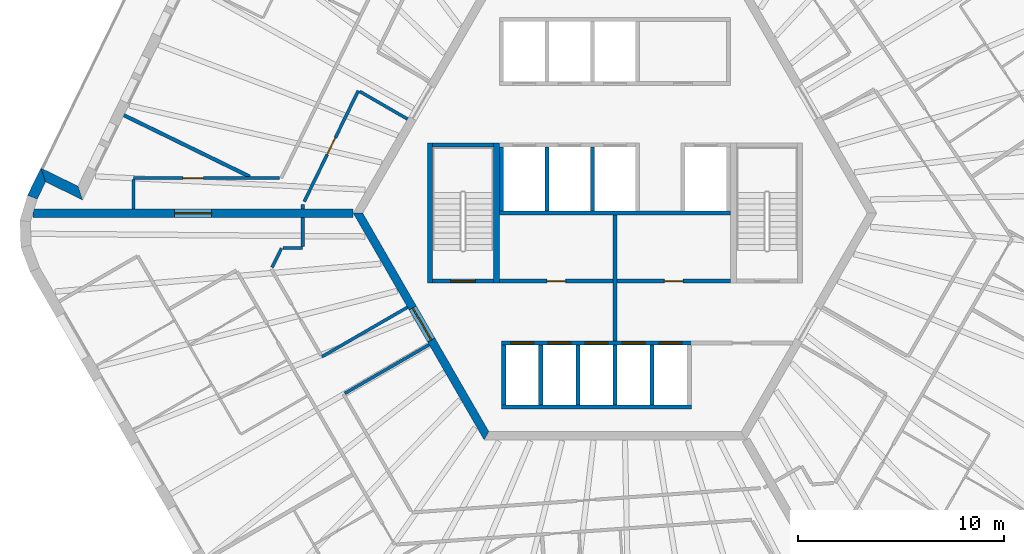
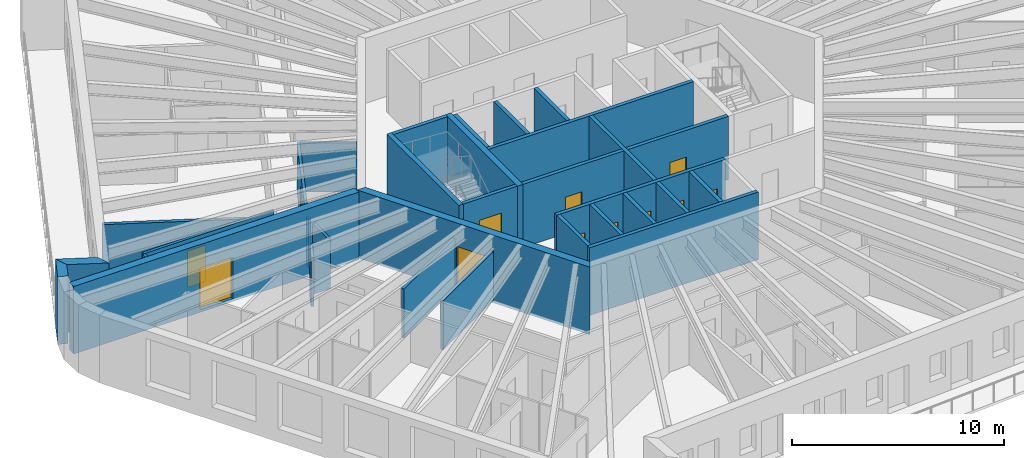
# One storey, part 5 of 12: 33 walls, 12 doors, 12 openings.
"""IFC4 building model written with IfcOpenShell, lengths in metres."""

from ifc_helpers import new_model, si_unit, direction, frame, frame_2d, origin, place, context, subcontext, project, spatial, polyline, rectangle, outline, extrude, material, layer, layer_set, type_object, element, fill, save


model = new_model("IFC4")

# Units and contexts
model_context = context("Model", 3, precision=1e-05, world=origin(), true_north=direction((0.0, 1.0)))
body_context = subcontext(model_context, "Body", "Model", "MODEL_VIEW")
ifc_project = project(units=[si_unit("LENGTHUNIT", "METRE"), si_unit("AREAUNIT", "SQUARE_METRE"), si_unit("VOLUMEUNIT", "CUBIC_METRE"), si_unit("PLANEANGLEUNIT", "RADIAN"), si_unit("MASSUNIT", "GRAM", prefix="KILO")], contexts=[model_context])

# Site, building, storey
site_placement = place(None, origin())
site = spatial("IfcSite", under=ifc_project, at=site_placement, CompositionType="ELEMENT")
building_placement = place(site_placement, origin())
building = spatial("IfcBuilding", under=site, at=building_placement, Name="Tarnside Tower", CompositionType="ELEMENT")
storey_placement = place(building_placement, frame((0.0, 0.0, 260.10009765625)))
storey = spatial("IfcBuildingStorey", under=building, at=storey_placement, Name="L62", CompositionType="ELEMENT", Elevation=260.10009765625)

# Wall, opening, door
ifc_material_1 = material(Name="Concrete C40/50", Category="concrete")
ifc_layer_1 = layer(ifc_material_1, 0.199951171875)
ifc_layer_set_1 = layer_set([ifc_layer_1], Name="Core room partition 200 C40/50")
wall_type_1 = type_object("IfcWallType", Name="Core room partition 200 C40/50", PredefinedType="PARTITIONING", material=ifc_layer_set_1)
wall_1_placement = place(storey_placement, frame((-5.60009765625, -3.300048828125, 0.0), z_axis=(0.0, 0.0, 1.0), x_axis=(1.0, 0.0, 0.0)))
wall_1 = element("IfcWall", 1, at=wall_1_placement, inside=storey, type_object=wall_type_1, Name="L62 core partition W3", PredefinedType="PARTITIONING", context=body_context, shape_type="SweptSolid", body=[
    extrude(rectangle(XDim=5.5, YDim=0.199951171875, at=frame_2d((2.75, 0.0))), origin(), (0.0, 0.0, 1.0), 3.64990234375),
])
opening_1_placement = place(wall_1_placement, frame((2.300048828125, 0.0, 0.0)))
opening_1 = element("IfcOpeningElement", 2, at=opening_1_placement, cuts=wall_1, Name="Opening CD-room", PredefinedType="OPENING", context=body_context, shape_type="SweptSolid", body=[
    extrude(rectangle(XDim=0.89990234375, YDim=2.10009765625, at=frame_2d((0.449951171875, 1.050048828125))), frame((0.0, 0.10986328125, 0.0), z_axis=(0.0, -1.0, 0.0), x_axis=(1.0, 0.0, 0.0)), (0.0, 0.0, 1.0), 0.219970703125),
])
ifc_material_2 = material(Name="Steel fire door", Category="steel")
door_type_1 = type_object("IfcDoorType", Name="Room door FD60 900x2100", OperationType="NOTDEFINED", PredefinedType="DOOR", material=ifc_material_2)
door_1_placement = place(opening_1_placement, origin())
door_1 = element("IfcDoor", 3, at=door_1_placement, inside=storey, type_object=door_type_1, Name="L62 core room door W3D", OperationType="SINGLE_SWING_LEFT", OverallHeight=2.10009765625, OverallWidth=0.89990234375, PredefinedType="DOOR", context=body_context, shape_type="SweptSolid", body=[
    extrude(rectangle(XDim=0.89990234375, YDim=2.10009765625, at=frame_2d((0.449951171875, 1.050048828125))), frame((0.0, 0.02490234375, 0.0), z_axis=(0.0, -1.0, 0.0), x_axis=(1.0, 0.0, 0.0)), (0.0, 0.0, 1.0), 0.050048828125),
])
fill(opening_1, door_1)

wall_2_placement = place(storey_placement, frame((0.10009765625, -3.300048828125, 0.0), z_axis=(0.0, 0.0, 1.0), x_axis=(1.0, 0.0, 0.0)))
wall_2 = element("IfcWall", 4, at=wall_2_placement, inside=storey, type_object=wall_type_1, Name="L62 core partition R3S1", PredefinedType="PARTITIONING", context=body_context, shape_type="SweptSolid", body=[
    extrude(rectangle(XDim=5.5, YDim=0.199951171875, at=frame_2d((2.75, 0.0))), origin(), (0.0, 0.0, 1.0), 3.64990234375),
])
opening_2_placement = place(wall_2_placement, frame((2.300048828125, 0.0, 0.0)))
opening_2 = element("IfcOpeningElement", 5, at=opening_2_placement, cuts=wall_2, Name="Opening CD-room", PredefinedType="OPENING", context=body_context, shape_type="SweptSolid", body=[
    extrude(rectangle(XDim=0.89990234375, YDim=2.10009765625, at=frame_2d((0.449951171875, 1.050048828125))), frame((0.0, 0.10986328125, 0.0), z_axis=(0.0, -1.0, 0.0), x_axis=(1.0, 0.0, 0.0)), (0.0, 0.0, 1.0), 0.219970703125),
])
door_2_placement = place(opening_2_placement, origin())
door_2 = element("IfcDoor", 6, at=door_2_placement, inside=storey, type_object=door_type_1, Name="L62 core room door SR1", OperationType="SINGLE_SWING_LEFT", OverallHeight=2.10009765625, OverallWidth=0.89990234375, PredefinedType="DOOR", context=body_context, shape_type="SweptSolid", body=[
    extrude(rectangle(XDim=0.89990234375, YDim=2.10009765625, at=frame_2d((0.449951171875, 1.050048828125))), frame((0.0, 0.02490234375, 0.0), z_axis=(0.0, -1.0, 0.0), x_axis=(1.0, 0.0, 0.0)), (0.0, 0.0, 1.0), 0.050048828125),
])
fill(opening_2, door_2)

# Wall
wall_3_placement = place(storey_placement, frame((0.0, -6.199951171875, 0.0), z_axis=(0.0, 0.0, 1.0), x_axis=(0.0, 1.0, 0.0)))
element("IfcWall", 7, at=wall_3_placement, inside=storey, type_object=wall_type_1, Name="L62 core partition X0", PredefinedType="PARTITIONING", context=body_context, shape_type="SweptSolid", body=[
    extrude(rectangle(XDim=6.099853515625, YDim=0.199951171875, at=frame_2d((3.0498046875, 0.0))), origin(), (0.0, 0.0, 1.0), 3.64990234375),
])

# Wall, opening, door
ifc_material_3 = material(Name="Concrete C60/75", Category="concrete")
ifc_layer_2 = layer(ifc_material_3, 0.39990234375)
ifc_layer_set_2 = layer_set([ifc_layer_2], Name="Core wall Z3 400 C60/75")
wall_type_2 = type_object("IfcWallType", Name="Core wall Z3 400 C60/75", PredefinedType="SHEAR", material=ifc_layer_set_2)
wall_4_placement = place(storey_placement, frame((-12.470703125, 0.0, -0.150146484375), z_axis=(0.0, 0.0, 1.0), x_axis=(0.499996419489, -0.866027470984, 0.0)))
wall_4 = element("IfcWall", 8, at=wall_4_placement, inside=storey, type_object=wall_type_2, Name="L62 core wall face 3", PredefinedType="SHEAR", context=body_context, shape_type="SweptSolid", body=[
    extrude(outline(polyline([(-0.115478515625, -0.199951171875), (12.586181640625, -0.199951171875), (12.355224609375, 0.199951171875), (0.115478515625, 0.199951171875), (-0.115478515625, -0.199951171875)])), origin(), (0.0, 0.0, 1.0), 3.900146484375),
])
opening_3_placement = place(wall_4_placement, frame((5.306396484375, 0.0, 0.14990234375)))
opening_3 = element("IfcOpeningElement", 9, at=opening_3_placement, cuts=wall_4, Name="Opening CD-FFL", PredefinedType="OPENING", context=body_context, shape_type="SweptSolid", body=[
    extrude(rectangle(XDim=1.800048828125, YDim=2.39990234375, at=frame_2d((0.89990234375, 1.199951171875))), frame((0.0, 0.2099609375, 0.0), z_axis=(0.0, -1.0, 0.0), x_axis=(1.0, 0.0, 0.0)), (0.0, 0.0, 1.0), 0.419921875),
])
door_type_2 = type_object("IfcDoorType", Name="Firefighting lobby double door FD60S 1800x2400", OperationType="NOTDEFINED", PredefinedType="DOOR", material=ifc_material_2)
door_3_placement = place(opening_3_placement, origin())
door_3 = element("IfcDoor", 10, at=door_3_placement, inside=storey, type_object=door_type_2, Name="L62 core door P3", OperationType="DOUBLE_DOOR_SINGLE_SWING", OverallHeight=2.39990234375, OverallWidth=1.800048828125, PredefinedType="DOOR", context=body_context, shape_type="SweptSolid", body=[
    extrude(rectangle(XDim=1.800048828125, YDim=2.39990234375, at=frame_2d((0.89990234375, 1.199951171875))), frame((0.0, 0.02490234375, 0.0), z_axis=(0.0, -1.0, 0.0), x_axis=(1.0, 0.0, 0.0)), (0.0, 0.0, 1.0), 0.050048828125),
])
fill(opening_3, door_3)

wall_5_placement = place(storey_placement, frame((-12.70166015625, 0.0, -0.150146484375), z_axis=(0.0, 0.0, 1.0), x_axis=(-1.0, 0.0, 0.0)))
wall_5 = element("IfcWall", 11, at=wall_5_placement, inside=storey, type_object=wall_type_2, Name="L62 spine wall 2", PredefinedType="SHEAR", context=body_context, shape_type="SweptSolid", body=[
    extrude(rectangle(XDim=15.54443359375, YDim=0.39990234375, at=frame_2d((7.772216796875, 0.0))), origin(), (0.0, 0.0, 1.0), 3.900146484375),
])
opening_4_placement = place(wall_5_placement, frame((6.872314453125, 0.0, 0.14990234375)))
opening_4 = element("IfcOpeningElement", 12, at=opening_4_placement, cuts=wall_5, Name="Opening CD-SPN", PredefinedType="OPENING", context=body_context, shape_type="SweptSolid", body=[
    extrude(rectangle(XDim=1.800048828125, YDim=2.39990234375, at=frame_2d((0.89990234375, 1.199951171875))), frame((0.0, 0.2099609375, 0.0), z_axis=(0.0, -1.0, 0.0), x_axis=(1.0, 0.0, 0.0)), (0.0, 0.0, 1.0), 0.419921875),
])
door_type_3 = type_object("IfcDoorType", Name="Spine passage double door FD60 1800x2400", OperationType="NOTDEFINED", PredefinedType="DOOR", material=ifc_material_2)
door_4_placement = place(opening_4_placement, origin())
door_4 = element("IfcDoor", 13, at=door_4_placement, inside=storey, type_object=door_type_3, Name="L62 spine passage door 2", OperationType="DOUBLE_DOOR_SINGLE_SWING", OverallHeight=2.39990234375, OverallWidth=1.800048828125, PredefinedType="DOOR", context=body_context, shape_type="SweptSolid", body=[
    extrude(rectangle(XDim=1.800048828125, YDim=2.39990234375, at=frame_2d((0.89990234375, 1.199951171875))), frame((0.0, 0.02490234375, 0.0), z_axis=(0.0, -1.0, 0.0), x_axis=(1.0, 0.0, 0.0)), (0.0, 0.0, 1.0), 0.050048828125),
])
fill(opening_4, door_4)

ifc_material_4 = material(Name="Gypsum board partition on steel studs", Category="steel")
ifc_layer_3 = layer(ifc_material_4, 0.14990234375)
ifc_layer_set_3 = layer_set([ifc_layer_3], Name="Corridor wall 150 EI 60")
wall_type_3 = type_object("IfcWallType", Name="Corridor wall 150 EI 60", PredefinedType="PARTITIONING", material=ifc_layer_set_3)
wall_6_placement = place(storey_placement, frame((-16.277099609375, 1.699951171875, 0.0), z_axis=(0.0, 0.0, 1.0), x_axis=(-1.0, 0.0, 0.0)))
wall_6 = element("IfcWall", 14, at=wall_6_placement, inside=storey, type_object=wall_type_3, Name="Corridor wall 20012", PredefinedType="PARTITIONING", context=body_context, shape_type="SweptSolid", body=[
    extrude(rectangle(XDim=7.096923828125, YDim=0.14990234375, at=frame_2d((3.54833984375, 0.0))), origin(), (0.0, 0.0, 1.0), 2.8232421875),
])
opening_5_placement = place(wall_6_placement, frame((3.696044921875, 0.0, 0.0)))
opening_5 = element("IfcOpeningElement", 15, at=opening_5_placement, cuts=wall_6, Name="Opening D-E1", PredefinedType="OPENING", context=body_context, shape_type="SweptSolid", body=[
    extrude(rectangle(XDim=1.0, YDim=2.10009765625, at=frame_2d((0.5, 1.050048828125))), frame((0.0, 0.0849609375, 0.0), z_axis=(0.0, -1.0, 0.0), x_axis=(1.0, 0.0, 0.0)), (0.0, 0.0, 1.0), 0.169921875),
])
ifc_material_5 = material(Name="Timber door leaf", Category="wood")
door_type_4 = type_object("IfcDoorType", Name="Unit entrance door 1000 FD30S", OperationType="NOTDEFINED", PredefinedType="DOOR", material=ifc_material_5)
door_5_placement = place(opening_5_placement, origin())
door_5 = element("IfcDoor", 16, at=door_5_placement, inside=storey, type_object=door_type_4, Name="Unit door 20020", OperationType="SINGLE_SWING_LEFT", OverallHeight=2.10009765625, OverallWidth=1.0, PredefinedType="DOOR", context=body_context, shape_type="SweptSolid", body=[
    extrude(rectangle(XDim=1.0, YDim=2.10009765625, at=frame_2d((0.5, 1.050048828125))), frame((0.0, 0.02490234375, 0.0), z_axis=(0.0, -1.0, 0.0), x_axis=(1.0, 0.0, 0.0)), (0.0, 0.0, 1.0), 0.050048828125),
])
fill(opening_5, door_5)

# Walls
wall_7_placement = place(storey_placement, frame((-23.3740234375, 1.625, 0.0), z_axis=(0.0, 0.0, 1.0), x_axis=(0.0, -1.0, 0.0)))
element("IfcWall", 17, at=wall_7_placement, inside=storey, type_object=wall_type_3, Name="Corridor wall 20016", PredefinedType="PARTITIONING", context=body_context, shape_type="SweptSolid", body=[
    extrude(rectangle(XDim=1.425048828125, YDim=0.14990234375, at=frame_2d((0.71240234375, 0.0))), origin(), (0.0, 0.0, 1.0), 2.8232421875),
])
wall_8_placement = place(storey_placement, frame((-15.15380859375, 0.199951171875, 0.0), z_axis=(0.0, 0.0, 1.0), x_axis=(0.0, 1.0, 0.0)))
element("IfcWall", 18, at=wall_8_placement, inside=storey, type_object=wall_type_3, Name="Corridor wall 20023", PredefinedType="PARTITIONING", context=body_context, shape_type="SweptSolid", body=[
    extrude(rectangle(XDim=0.210205078125, YDim=0.14990234375, at=frame_2d((0.10498046875, 0.0))), origin(), (0.0, 0.0, 1.0), 2.8232421875),
])

# Wall, opening, door
wall_9_placement = place(storey_placement, frame((-15.078857421875, 0.563720703125, 0.0), z_axis=(0.0, 0.0, 1.0), x_axis=(0.438367391904, 0.898795877669, 0.0)))
wall_9 = element("IfcWall", 19, at=wall_9_placement, inside=storey, type_object=wall_type_3, Name="Corridor wall 20024", PredefinedType="PARTITIONING", context=body_context, shape_type="SweptSolid", body=[
    extrude(rectangle(XDim=5.987060546875, YDim=0.14990234375, at=frame_2d((2.99365234375, 0.0))), origin(), (0.0, 0.0, 1.0), 2.8232421875),
])
opening_6_placement = place(wall_9_placement, frame((2.54345703125, 0.0, 0.0)))
opening_6 = element("IfcOpeningElement", 20, at=opening_6_placement, cuts=wall_9, Name="Opening D-S1", PredefinedType="OPENING", context=body_context, shape_type="SweptSolid", body=[
    extrude(rectangle(XDim=0.89990234375, YDim=2.10009765625, at=frame_2d((0.449951171875, 1.050048828125))), frame((0.0, 0.0849609375, 0.0), z_axis=(0.0, -1.0, 0.0), x_axis=(1.0, 0.0, 0.0)), (0.0, 0.0, 1.0), 0.169921875),
])
door_type_5 = type_object("IfcDoorType", Name="Service room door 900 FD30S", OperationType="NOTDEFINED", PredefinedType="DOOR", material=ifc_material_5)
door_6_placement = place(opening_6_placement, origin())
door_6 = element("IfcDoor", 21, at=door_6_placement, inside=storey, type_object=door_type_5, Name="Service door 20072", OperationType="SINGLE_SWING_LEFT", OverallHeight=2.10009765625, OverallWidth=0.89990234375, PredefinedType="DOOR", context=body_context, shape_type="SweptSolid", body=[
    extrude(rectangle(XDim=0.89990234375, YDim=2.10009765625, at=frame_2d((0.449951171875, 1.050048828125))), frame((0.0, 0.02490234375, 0.0), z_axis=(0.0, -1.0, 0.0), x_axis=(1.0, 0.0, 0.0)), (0.0, 0.0, 1.0), 0.050048828125),
])
fill(opening_6, door_6)

# Walls
wall_10_placement = place(storey_placement, frame((-12.389404296875, 5.9072265625, 0.0), z_axis=(0.0, 0.0, 1.0), x_axis=(0.866034066097, -0.499984996134, 0.0)))
element("IfcWall", 22, at=wall_10_placement, inside=storey, type_object=wall_type_3, Name="Corridor wall 20025", PredefinedType="PARTITIONING", context=body_context, shape_type="SweptSolid", body=[
    extrude(rectangle(XDim=2.68310546875, YDim=0.14990234375, at=frame_2d((1.341552734375, 0.0))), origin(), (0.0, 0.0, 1.0), 2.8232421875),
])
wall_11_placement = place(storey_placement, frame((-10.065673828125, -4.565673828125, 0.0), z_axis=(0.0, 0.0, 1.0), x_axis=(-0.866037363387, -0.499979284789, 0.0)))
element("IfcWall", 23, at=wall_11_placement, inside=storey, type_object=wall_type_3, Name="Corridor wall 20043", PredefinedType="PARTITIONING", context=body_context, shape_type="SweptSolid", body=[
    extrude(rectangle(XDim=4.800048828125, YDim=0.14990234375, at=frame_2d((2.39990234375, 0.0))), origin(), (0.0, 0.0, 1.0), 2.8232421875),
])
wall_12_placement = place(storey_placement, frame((-16.637939453125, -2.63232421875, 0.0), z_axis=(0.0, 0.0, 1.0), x_axis=(0.438437541994, 0.898761660158, 0.0)))
element("IfcWall", 24, at=wall_12_placement, inside=storey, type_object=wall_type_3, Name="Corridor wall 20045", PredefinedType="PARTITIONING", context=body_context, shape_type="SweptSolid", body=[
    extrude(rectangle(XDim=1.037353515625, YDim=0.14990234375, at=frame_2d((0.5185546875, 0.0))), origin(), (0.0, 0.0, 1.0), 2.8232421875),
])
wall_13_placement = place(storey_placement, frame((-16.099609375, -1.699951171875, 0.0), z_axis=(0.0, 0.0, 1.0), x_axis=(1.0, 0.0, 0.0)))
element("IfcWall", 25, at=wall_13_placement, inside=storey, type_object=wall_type_3, Name="Corridor wall 20046", PredefinedType="PARTITIONING", context=body_context, shape_type="SweptSolid", body=[
    extrude(rectangle(XDim=0.94580078125, YDim=0.14990234375, at=frame_2d((0.472900390625, 0.0))), origin(), (0.0, 0.0, 1.0), 2.8232421875),
])
wall_14_placement = place(storey_placement, frame((-15.15380859375, -1.625, 0.0), z_axis=(0.0, 0.0, 1.0), x_axis=(0.0, 1.0, 0.0)))
element("IfcWall", 26, at=wall_14_placement, inside=storey, type_object=wall_type_3, Name="Corridor wall 20047", PredefinedType="PARTITIONING", context=body_context, shape_type="SweptSolid", body=[
    extrude(rectangle(XDim=1.425048828125, YDim=0.14990234375, at=frame_2d((0.71240234375, 0.0))), origin(), (0.0, 0.0, 1.0), 2.8232421875),
])
wall_15_placement = place(storey_placement, frame((-13.107666015625, -8.746826171875, 0.0), z_axis=(0.0, 0.0, 1.0), x_axis=(0.866024684746, 0.500001245408, 0.0)))
element("IfcWall", 27, at=wall_15_placement, inside=storey, type_object=wall_type_3, Name="Corridor wall 20051", PredefinedType="PARTITIONING", context=body_context, shape_type="SweptSolid", body=[
    extrude(rectangle(XDim=4.72509765625, YDim=0.14990234375, at=frame_2d((2.362548828125, 0.0))), origin(), (0.0, 0.0, 1.0), 2.8232421875),
])
ifc_layer_4 = layer(ifc_material_4, 0.179931640625)
ifc_layer_set_4 = layer_set([ifc_layer_4], Name="Demising wall 180 EI 60")
wall_type_4 = type_object("IfcWallType", Name="Demising wall 180 EI 60", PredefinedType="PARTITIONING", material=ifc_layer_set_4)
wall_16_placement = place(storey_placement, frame((-23.82861328125, 4.75146484375, 0.0), z_axis=(0.0, 0.0, 1.0), x_axis=(0.898785032636, -0.438389627056, 0.0)))
element("IfcWall", 28, at=wall_16_placement, inside=storey, type_object=wall_type_4, Name="Demising wall 20101", PredefinedType="PARTITIONING", context=body_context, shape_type="SweptSolid", body=[
    extrude(rectangle(XDim=6.789794921875, YDim=0.179931640625, at=frame_2d((3.39501953125, 0.0))), origin(), (0.0, 0.0, 1.0), 2.8232421875),
])
ifc_layer_5 = layer(ifc_material_1, 0.199951171875)
ifc_layer_set_5 = layer_set([ifc_layer_5], Name="Lift shaft wall 200 C40/50")
wall_type_5 = type_object("IfcWallType", Name="Lift shaft wall 200 C40/50", PredefinedType="SHEAR", material=ifc_layer_set_5)
wall_17_placement = place(storey_placement, frame((-5.60009765625, 0.0, -0.25), z_axis=(0.0, 0.0, 1.0), x_axis=(1.0, 0.0, 0.0)))
element("IfcWall", 29, at=wall_17_placement, inside=storey, type_object=wall_type_5, Name="L62 lift shaft back wall R2", PredefinedType="SHEAR", context=body_context, shape_type="SweptSolid", body=[
    extrude(rectangle(XDim=11.2001953125, YDim=0.199951171875, at=frame_2d((5.60009765625, 0.0))), origin(), (0.0, 0.0, 1.0), 3.89990234375),
])
for number, where, z_axis, x_axis, name in (
    (30, (-5.5, 0.10009765625, -0.25), (0.0, 0.0, 1.0), (0.0, 1.0, 0.0), "L62 lift shaft partition R21"),
    (31, (-3.300048828125, 0.10009765625, -0.25), (0.0, 0.0, 1.0), (0.0, 1.0, 0.0), "L62 lift shaft partition R22"),
    (32, (-1.10009765625, 0.10009765625, -0.25), (0.0, 0.0, 1.0), (0.0, 1.0, 0.0), "L62 lift shaft partition R23"),
):
    element("IfcWall", number, at=place(storey_placement, frame(where, z_axis=z_axis, x_axis=x_axis)), inside=storey, type_object=wall_type_5, Name=name, PredefinedType="SHEAR", context=body_context, shape_type="SweptSolid", body=[
        extrude(rectangle(XDim=3.099853515625, YDim=0.199951171875, at=frame_2d((1.5498046875, 0.0))), origin(), (0.0, 0.0, 1.0), 3.89990234375),
    ])

# Wall, openings, doors
wall_18_placement = place(storey_placement, frame((-5.5, -6.300048828125, -0.25), z_axis=(0.0, 0.0, 1.0), x_axis=(1.0, 0.0, 0.0)))
wall_18 = element("IfcWall", 33, at=wall_18_placement, inside=storey, type_object=wall_type_5, Name="L62 lift shaft front wall R4", PredefinedType="SHEAR", context=body_context, shape_type="SweptSolid", body=[
    extrude(rectangle(XDim=9.199951171875, YDim=0.199951171875, at=frame_2d((4.60009765625, 0.0))), origin(), (0.0, 0.0, 1.0), 3.89990234375),
])
opening_7_placement = place(wall_18_placement, frame((0.449951171875, 0.0, 0.25)))
opening_7 = element("IfcOpeningElement", 34, at=opening_7_placement, cuts=wall_18, Name="Opening LDF", PredefinedType="OPENING", context=body_context, shape_type="SweptSolid", body=[
    extrude(rectangle(XDim=1.10009765625, YDim=2.10009765625, at=frame_2d((0.550048828125, 1.050048828125))), frame((0.0, 0.10986328125, 0.0), z_axis=(0.0, -1.0, 0.0), x_axis=(1.0, 0.0, 0.0)), (0.0, 0.0, 1.0), 0.219970703125),
])
opening_8_placement = place(wall_18_placement, frame((2.25, 0.0, 0.25)))
opening_8 = element("IfcOpeningElement", 35, at=opening_8_placement, cuts=wall_18, Name="Opening LDF", PredefinedType="OPENING", context=body_context, shape_type="SweptSolid", body=[
    extrude(rectangle(XDim=1.10009765625, YDim=2.10009765625, at=frame_2d((0.550048828125, 1.050048828125))), frame((0.0, 0.10986328125, 0.0), z_axis=(0.0, -1.0, 0.0), x_axis=(1.0, 0.0, 0.0)), (0.0, 0.0, 1.0), 0.219970703125),
])
opening_9_placement = place(wall_18_placement, frame((4.050048828125, 0.0, 0.25)))
opening_9 = element("IfcOpeningElement", 36, at=opening_9_placement, cuts=wall_18, Name="Opening LDF", PredefinedType="OPENING", context=body_context, shape_type="SweptSolid", body=[
    extrude(rectangle(XDim=1.10009765625, YDim=2.10009765625, at=frame_2d((0.550048828125, 1.050048828125))), frame((0.0, 0.10986328125, 0.0), z_axis=(0.0, -1.0, 0.0), x_axis=(1.0, 0.0, 0.0)), (0.0, 0.0, 1.0), 0.219970703125),
])
opening_10_placement = place(wall_18_placement, frame((5.85009765625, 0.0, 0.25)))
opening_10 = element("IfcOpeningElement", 37, at=opening_10_placement, cuts=wall_18, Name="Opening LDF", PredefinedType="OPENING", context=body_context, shape_type="SweptSolid", body=[
    extrude(rectangle(XDim=1.10009765625, YDim=2.10009765625, at=frame_2d((0.550048828125, 1.050048828125))), frame((0.0, 0.10986328125, 0.0), z_axis=(0.0, -1.0, 0.0), x_axis=(1.0, 0.0, 0.0)), (0.0, 0.0, 1.0), 0.219970703125),
])
opening_11_placement = place(wall_18_placement, frame((7.64990234375, 0.0, 0.25)))
opening_11 = element("IfcOpeningElement", 38, at=opening_11_placement, cuts=wall_18, Name="Opening LDF", PredefinedType="OPENING", context=body_context, shape_type="SweptSolid", body=[
    extrude(rectangle(XDim=1.10009765625, YDim=2.10009765625, at=frame_2d((0.550048828125, 1.050048828125))), frame((0.0, 0.10986328125, 0.0), z_axis=(0.0, -1.0, 0.0), x_axis=(1.0, 0.0, 0.0)), (0.0, 0.0, 1.0), 0.219970703125),
])
ifc_material_6 = material(Name="Stainless steel", Category="steel")
door_type_6 = type_object("IfcDoorType", Name="Lift landing door 1100x2100 EI 120", OperationType="NOTDEFINED", PredefinedType="DOOR", material=ifc_material_6)
door_7_placement = place(opening_7_placement, origin())
door_7 = element("IfcDoor", 39, at=door_7_placement, inside=storey, type_object=door_type_6, Name="Firefighting lift 1 landing door L62", OperationType="SLIDING_TO_LEFT", OverallHeight=2.10009765625, OverallWidth=1.10009765625, PredefinedType="DOOR", context=body_context, shape_type="SweptSolid", body=[
    extrude(rectangle(XDim=1.10009765625, YDim=2.10009765625, at=frame_2d((0.550048828125, 1.050048828125))), frame((0.0, 0.02490234375, 0.0), z_axis=(0.0, -1.0, 0.0), x_axis=(1.0, 0.0, 0.0)), (0.0, 0.0, 1.0), 0.050048828125),
])
fill(opening_7, door_7)
door_8_placement = place(opening_8_placement, origin())
door_8 = element("IfcDoor", 40, at=door_8_placement, inside=storey, type_object=door_type_6, Name="Firefighting lift 2 landing door L62", OperationType="SLIDING_TO_LEFT", OverallHeight=2.10009765625, OverallWidth=1.10009765625, PredefinedType="DOOR", context=body_context, shape_type="SweptSolid", body=[
    extrude(rectangle(XDim=1.10009765625, YDim=2.10009765625, at=frame_2d((0.550048828125, 1.050048828125))), frame((0.0, 0.02490234375, 0.0), z_axis=(0.0, -1.0, 0.0), x_axis=(1.0, 0.0, 0.0)), (0.0, 0.0, 1.0), 0.050048828125),
])
fill(opening_8, door_8)
door_9_placement = place(opening_9_placement, origin())
door_9 = element("IfcDoor", 41, at=door_9_placement, inside=storey, type_object=door_type_6, Name="Firefighting lift 3 landing door L62", OperationType="SLIDING_TO_LEFT", OverallHeight=2.10009765625, OverallWidth=1.10009765625, PredefinedType="DOOR", context=body_context, shape_type="SweptSolid", body=[
    extrude(rectangle(XDim=1.10009765625, YDim=2.10009765625, at=frame_2d((0.550048828125, 1.050048828125))), frame((0.0, 0.02490234375, 0.0), z_axis=(0.0, -1.0, 0.0), x_axis=(1.0, 0.0, 0.0)), (0.0, 0.0, 1.0), 0.050048828125),
])
fill(opening_9, door_9)
door_10_placement = place(opening_10_placement, origin())
door_10 = element("IfcDoor", 42, at=door_10_placement, inside=storey, type_object=door_type_6, Name="Firefighting lift 4 landing door L62", OperationType="SLIDING_TO_LEFT", OverallHeight=2.10009765625, OverallWidth=1.10009765625, PredefinedType="DOOR", context=body_context, shape_type="SweptSolid", body=[
    extrude(rectangle(XDim=1.10009765625, YDim=2.10009765625, at=frame_2d((0.550048828125, 1.050048828125))), frame((0.0, 0.02490234375, 0.0), z_axis=(0.0, -1.0, 0.0), x_axis=(1.0, 0.0, 0.0)), (0.0, 0.0, 1.0), 0.050048828125),
])
fill(opening_10, door_10)
door_11_placement = place(opening_11_placement, origin())
door_11 = element("IfcDoor", 43, at=door_11_placement, inside=storey, type_object=door_type_6, Name="Firefighting lift 5 landing door L62", OperationType="SLIDING_TO_LEFT", OverallHeight=2.10009765625, OverallWidth=1.10009765625, PredefinedType="DOOR", context=body_context, shape_type="SweptSolid", body=[
    extrude(rectangle(XDim=1.10009765625, YDim=2.10009765625, at=frame_2d((0.550048828125, 1.050048828125))), frame((0.0, 0.02490234375, 0.0), z_axis=(0.0, -1.0, 0.0), x_axis=(1.0, 0.0, 0.0)), (0.0, 0.0, 1.0), 0.050048828125),
])
fill(opening_11, door_11)

# Walls
wall_19_placement = place(storey_placement, frame((-5.5, -9.39990234375, -0.25), z_axis=(0.0, 0.0, 1.0), x_axis=(1.0, 0.0, 0.0)))
element("IfcWall", 44, at=wall_19_placement, inside=storey, type_object=wall_type_5, Name="L62 lift shaft back wall R4", PredefinedType="SHEAR", context=body_context, shape_type="SweptSolid", body=[
    extrude(rectangle(XDim=9.199951171875, YDim=0.199951171875, at=frame_2d((4.60009765625, 0.0))), origin(), (0.0, 0.0, 1.0), 3.89990234375),
])
for number, where, z_axis, x_axis, name in (
    (45, (-5.39990234375, -9.300048828125, -0.25), (0.0, 0.0, 1.0), (0.0, 1.0, 0.0), "L62 lift shaft partition R41"),
    (46, (-3.60009765625, -9.300048828125, -0.25), (0.0, 0.0, 1.0), (0.0, 1.0, 0.0), "L62 lift shaft partition R42"),
    (47, (-1.800048828125, -9.300048828125, -0.25), (0.0, 0.0, 1.0), (0.0, 1.0, 0.0), "L62 lift shaft partition R43"),
    (48, (0.0, -9.300048828125, -0.25), (0.0, 0.0, 1.0), (0.0, 1.0, 0.0), "L62 lift shaft partition R44"),
    (49, (1.800048828125, -9.300048828125, -0.25), (0.0, 0.0, 1.0), (0.0, 1.0, 0.0), "L62 lift shaft partition R45"),
):
    element("IfcWall", number, at=place(storey_placement, frame(where, z_axis=z_axis, x_axis=x_axis)), inside=storey, type_object=wall_type_5, Name=name, PredefinedType="SHEAR", context=body_context, shape_type="SweptSolid", body=[
        extrude(rectangle(XDim=2.900146484375, YDim=0.199951171875, at=frame_2d((1.4501953125, 0.0))), origin(), (0.0, 0.0, 1.0), 3.89990234375),
    ])
wall_20_placement = place(storey_placement, frame((-8.85009765625, 3.300048828125, -0.25), z_axis=(0.0, 0.0, 1.0), x_axis=(1.0, 0.0, 0.0)))
element("IfcWall", 50, at=wall_20_placement, inside=storey, type_object=wall_type_5, Name="L62 stair 2 enclosure cap wall n", PredefinedType="SHEAR", context=body_context, shape_type="SweptSolid", body=[
    extrude(rectangle(XDim=2.9501953125, YDim=0.199951171875, at=frame_2d((1.47509765625, 0.0))), origin(), (0.0, 0.0, 1.0), 3.89990234375),
])

# Wall, opening, door
wall_21_placement = place(storey_placement, frame((-8.85009765625, -3.300048828125, -0.25), z_axis=(0.0, 0.0, 1.0), x_axis=(1.0, 0.0, 0.0)))
wall_21 = element("IfcWall", 51, at=wall_21_placement, inside=storey, type_object=wall_type_5, Name="L62 stair 2 enclosure cap wall s", PredefinedType="SHEAR", context=body_context, shape_type="SweptSolid", body=[
    extrude(rectangle(XDim=2.9501953125, YDim=0.199951171875, at=frame_2d((1.47509765625, 0.0))), origin(), (0.0, 0.0, 1.0), 3.89990234375),
])
opening_12_placement = place(wall_21_placement, frame((0.875, 0.0, 0.25)))
opening_12 = element("IfcOpeningElement", 52, at=opening_12_placement, cuts=wall_21, Name="Opening CD-STR", PredefinedType="OPENING", context=body_context, shape_type="SweptSolid", body=[
    extrude(rectangle(XDim=1.199951171875, YDim=2.39990234375, at=frame_2d((0.60009765625, 1.199951171875))), frame((0.0, 0.10986328125, 0.0), z_axis=(0.0, -1.0, 0.0), x_axis=(1.0, 0.0, 0.0)), (0.0, 0.0, 1.0), 0.219970703125),
])
door_type_7 = type_object("IfcDoorType", Name="Stair door FD60S 1200x2400", OperationType="NOTDEFINED", PredefinedType="DOOR", material=ifc_material_2)
door_12_placement = place(opening_12_placement, origin())
door_12 = element("IfcDoor", 53, at=door_12_placement, inside=storey, type_object=door_type_7, Name="L62 stair 2 door", OperationType="SINGLE_SWING_LEFT", OverallHeight=2.39990234375, OverallWidth=1.199951171875, PredefinedType="DOOR", context=body_context, shape_type="SweptSolid", body=[
    extrude(rectangle(XDim=1.199951171875, YDim=2.39990234375, at=frame_2d((0.60009765625, 1.199951171875))), frame((0.0, 0.02490234375, 0.0), z_axis=(0.0, -1.0, 0.0), x_axis=(1.0, 0.0, 0.0)), (0.0, 0.0, 1.0), 0.050048828125),
])
fill(opening_12, door_12)

# Walls
ifc_material_7 = material(Name="Dark zinc cladding")
ifc_layer_6 = layer(ifc_material_7, 0.10205078125)
ifc_material_8 = material(Name="Concrete C60/75 precast", Category="concrete")
ifc_layer_7 = layer(ifc_material_8, 0.298095703125)
ifc_material_9 = material(Name="Mineral wool insulation")
ifc_layer_8 = layer(ifc_material_9, 0.10009765625)
ifc_layer_set_6 = layer_set([ifc_layer_6, ifc_layer_7, ifc_layer_8], Name="Loggia wall 500 zinc faced")
wall_type_6 = type_object("IfcWallType", Name="Loggia wall 500 zinc faced", PredefinedType="SOLIDWALL", material=ifc_layer_set_6)
wall_22_placement = place(storey_placement, frame((-25.9482421875, 0.97607421875, -0.150146484375), z_axis=(0.0, 0.0, 1.0), x_axis=(-0.898802465371, 0.438353884714, 0.0)))
element("IfcWall", 54, at=wall_22_placement, inside=storey, type_object=wall_type_6, Name="Tube wall L62 F2 return 07", PredefinedType="SOLIDWALL", context=body_context, shape_type="SweptSolid", body=[
    extrude(outline(polyline([(0.25, -0.25), (2.25, -0.25), (1.75, 0.25), (-0.25, 0.25), (0.25, -0.25)])), origin(), (0.0, 0.0, 1.0), 3.900146484375),
])
wall_23_placement = place(storey_placement, frame((-27.745849609375, 1.852783203125, -0.150146484375), z_axis=(0.0, 0.0, 1.0), x_axis=(-0.438319390103, -0.898819287877, 0.0)))
element("IfcWall", 55, at=wall_23_placement, inside=storey, type_object=wall_type_6, Name="Tube wall L62 F2 stub 08", PredefinedType="SOLIDWALL", context=body_context, shape_type="SweptSolid", body=[
    extrude(outline(polyline([(-0.25, -0.25), (1.22021484375, -0.25), (1.17919921875, 0.25), (0.25, 0.25), (-0.25, -0.25)])), origin(), (0.0, 0.0, 1.0), 3.900146484375),
])
ifc_layer_9 = layer(ifc_material_1, 0.25)
ifc_layer_set_7 = layer_set([ifc_layer_9], Name="Stair enclosure wall 250 C40/50")
wall_type_7 = type_object("IfcWallType", Name="Stair enclosure wall 250 C40/50", PredefinedType="SHEAR", material=ifc_layer_set_7)
wall_24_placement = place(storey_placement, frame((-8.97509765625, -3.39990234375, -0.25), z_axis=(0.0, 0.0, 1.0), x_axis=(0.0, 1.0, 0.0)))
element("IfcWall", 56, at=wall_24_placement, inside=storey, type_object=wall_type_7, Name="L62 stair 2 enclosure wall outer", PredefinedType="SHEAR", context=body_context, shape_type="SweptSolid", body=[
    extrude(rectangle(XDim=6.7998046875, YDim=0.25, at=frame_2d((3.39990234375, 0.0))), origin(), (0.0, 0.0, 1.0), 3.89990234375),
])
ifc_layer_10 = layer(ifc_material_1, 0.300048828125)
ifc_layer_set_8 = layer_set([ifc_layer_10], Name="Stair enclosure wall 300 C40/50")
wall_type_8 = type_object("IfcWallType", Name="Stair enclosure wall 300 C40/50", PredefinedType="SHEAR", material=ifc_layer_set_8)
wall_25_placement = place(storey_placement, frame((-5.75, -3.39990234375, -0.25), z_axis=(0.0, 0.0, 1.0), x_axis=(0.0, 1.0, 0.0)))
element("IfcWall", 57, at=wall_25_placement, inside=storey, type_object=wall_type_8, Name="L62 stair 2 enclosure wall inner", PredefinedType="SHEAR", context=body_context, shape_type="SweptSolid", body=[
    extrude(rectangle(XDim=6.7998046875, YDim=0.300048828125, at=frame_2d((3.39990234375, 0.0))), origin(), (0.0, 0.0, 1.0), 3.89990234375),
])

save(model, "model.ifc")
